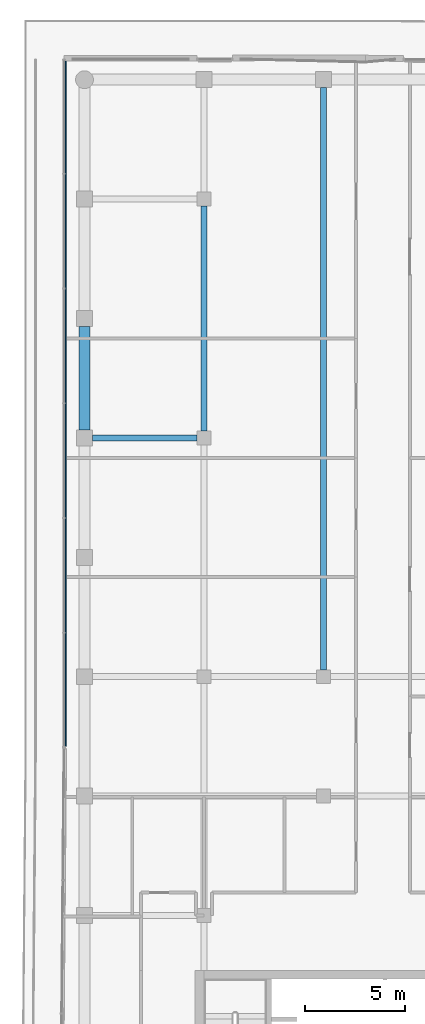
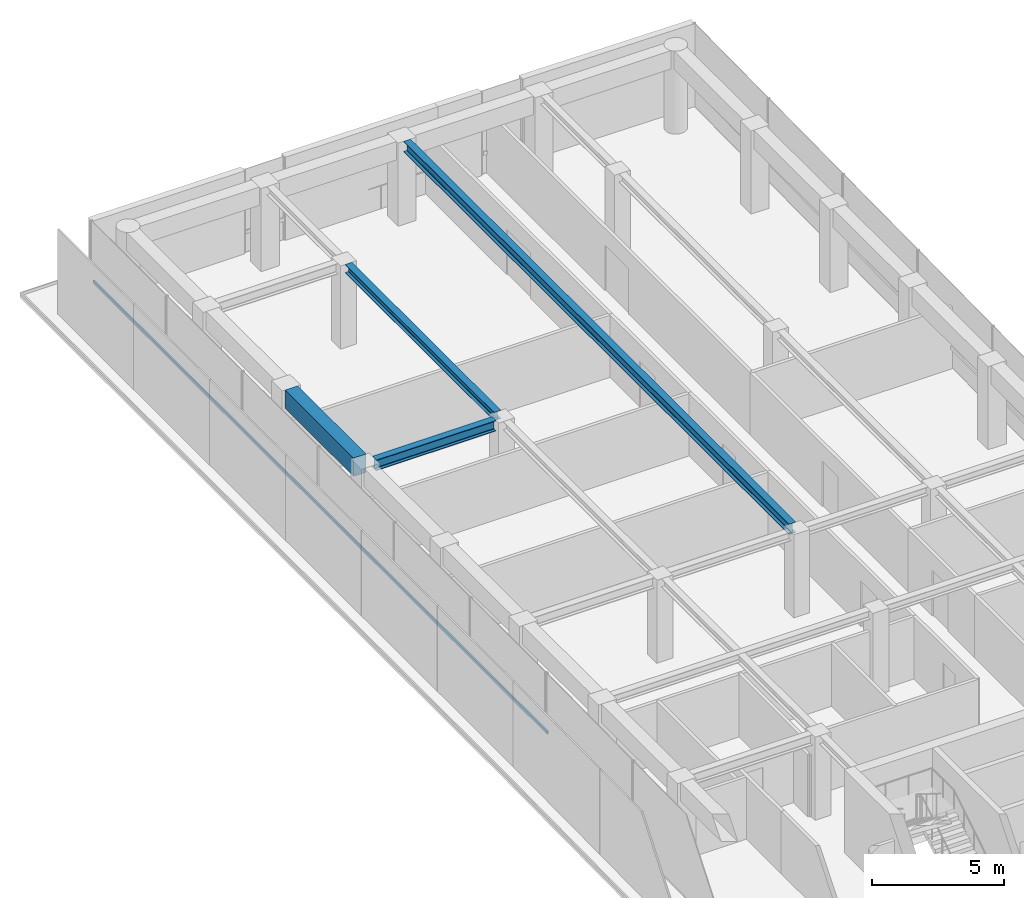
# One storey, part 10 of 19: 4 beams, 1 member, 1 element without a shape of its own.
"""IFC4 building model written with IfcOpenShell, lengths in metres."""

from ifc_helpers import new_model, si_unit, direction, frame, origin, origin_2d, place, context, subcontext, project, spatial, rectangle, i_section, extrude, material, layer, layer_set, material_profile, profile_set, type_object, element, aggregate, save


model = new_model("IFC4")

# Units and contexts
model_context = context("Model", 3, precision=1e-05, world=origin(), true_north=direction((0.0, 1.0)))
body_context = subcontext(model_context, "Body", "Model", "MODEL_VIEW")
ifc_project = project(units=[si_unit("LENGTHUNIT", "METRE"), si_unit("AREAUNIT", "SQUARE_METRE"), si_unit("VOLUMEUNIT", "CUBIC_METRE"), si_unit("PLANEANGLEUNIT", "RADIAN"), si_unit("MASSUNIT", "GRAM", prefix="KILO")], contexts=[model_context])

# Site, building, storey
site_placement = place(None, origin())
site = spatial("IfcSite", under=ifc_project, at=site_placement, CompositionType="ELEMENT")
building_placement = place(site_placement, origin())
building = spatial("IfcBuilding", under=site, at=building_placement, Name="Welwitschia Terrace Campus", CompositionType="ELEMENT")
storey_placement = place(building_placement, frame((0.0, 0.0, 230.60009765625)))
storey = spatial("IfcBuildingStorey", under=building, at=storey_placement, Name="L51", CompositionType="ELEMENT", Elevation=230.60009765625)

# Beams
ifc_material_1 = material(Name="Steel S355", Category="steel")
ifc_material_profile_1 = material_profile(ifc_material_1, i_section(OverallWidth=0.300048828125, OverallDepth=0.389892578125, WebThickness=0.010986328125, FlangeThickness=0.01904296875, FilletRadius=0.027099609375, at=origin_2d()))
ifc_profile_set_1 = profile_set([ifc_material_profile_1], Name="Steel S355")
beam_type_1 = type_object("IfcBeamType", Name="Interior girder HE 400 A", PredefinedType="BEAM", material=ifc_profile_set_1)
beam_1_placement = place(storey_placement, frame((6.0, 52.3505859375, 3.65478515625), z_axis=(0.0, 1.0, 0.0), x_axis=(-1.0, 0.0, 0.0)))
element("IfcBeam", 1, at=beam_1_placement, inside=storey, type_object=beam_type_1, Name="Girder GB5", PredefinedType="BEAM", context=body_context, shape_type="SweptSolid", body=[
    extrude(i_section(OverallWidth=0.300048828125, OverallDepth=0.389892578125, WebThickness=0.010986328125, FlangeThickness=0.01904296875, FilletRadius=0.027099609375, at=origin_2d()), origin(), (0.0, 0.0, 1.0), 11.298828125),
])
ifc_material_2 = material(Name="Steel S355", Category="steel")
ifc_material_profile_2 = material_profile(ifc_material_2, i_section(OverallWidth=0.300048828125, OverallDepth=0.489990234375, WebThickness=0.011962890625, FlangeThickness=0.02294921875, FilletRadius=0.027099609375, at=origin_2d()))
ifc_profile_set_2 = profile_set([ifc_material_profile_2], Name="Steel S355")
beam_type_2 = type_object("IfcBeamType", Name="Primary beam HE 500 A", PredefinedType="BEAM", material=ifc_profile_set_2)
beam_2_placement = place(storey_placement, frame((12.0, 69.599609375, 3.60498046875), z_axis=(0.0, -1.0, 0.0), x_axis=(1.0, 0.0, 0.0)))
element("IfcBeam", 2, at=beam_2_placement, inside=storey, type_object=beam_type_2, Name="Primary beam PB5", PredefinedType="BEAM", context=body_context, shape_type="SweptSolid", body=[
    extrude(i_section(OverallWidth=0.300048828125, OverallDepth=0.489990234375, WebThickness=0.011962890625, FlangeThickness=0.02294921875, FilletRadius=0.027099609375, at=origin_2d()), origin(), (0.0, 0.0, 1.0), 29.2490234375),
])
beam_3_placement = place(storey_placement, frame((0.400390625, 52.0, 3.60498046875), z_axis=(1.0, 0.0, 0.0), x_axis=(0.0, 1.0, 0.0)))
element("IfcBeam", 3, at=beam_3_placement, inside=storey, type_object=beam_type_2, Name="Primary beam PB5", PredefinedType="BEAM", context=body_context, shape_type="SweptSolid", body=[
    extrude(i_section(OverallWidth=0.300048828125, OverallDepth=0.489990234375, WebThickness=0.011962890625, FlangeThickness=0.02294921875, FilletRadius=0.027099609375, at=origin_2d()), origin(), (0.0, 0.0, 1.0), 5.2490234375),
])
ifc_material_3 = material(Name="Concrete C50/60", Category="concrete")
ifc_material_profile_3 = material_profile(ifc_material_3, rectangle(XDim=0.550048828125, YDim=0.85009765625, at=origin_2d()))
ifc_profile_set_3 = profile_set([ifc_material_profile_3], Name="Concrete C50/60")
beam_type_3 = type_object("IfcBeamType", Name="Ring spandrel 550x850", PredefinedType="SPANDREL", material=ifc_profile_set_3)
beam_4_placement = place(storey_placement, frame((0.0, 57.599609375, 3.4248046875), z_axis=(0.0, -1.0, 0.0), x_axis=(1.0, 0.0, 0.0)))
element("IfcBeam", 4, at=beam_4_placement, inside=storey, type_object=beam_type_3, Name="Spandrel SP3", PredefinedType="SPANDREL", context=body_context, shape_type="SweptSolid", body=[
    extrude(rectangle(XDim=0.550048828125, YDim=0.85009765625, at=origin_2d()), origin(), (0.0, 0.0, 1.0), 5.19921875),
])

# Curtain wall, member
ifc_material_4 = material(Name="Bronze anodised aluminium", Category="aluminium")
ifc_layer = layer(ifc_material_4, 0.1201171875)
ifc_layer_set = layer_set([ifc_layer], Name="Bronze anodised aluminium")
curtain_wall_type = type_object("IfcCurtainWallType", Name="Curtain wall CW2 tower 6000", PredefinedType="NOTDEFINED", material=ifc_layer_set)
curtain_wall_placement = place(storey_placement, origin())
curtain_wall = element("IfcCurtainWall", 5, at=curtain_wall_placement, inside=storey, type_object=curtain_wall_type, Name="CW L51.1.0", PredefinedType="NOTDEFINED")
ifc_material_5 = material(Name="Bronze anodised aluminium", Category="aluminium")
ifc_material_profile_4 = material_profile(ifc_material_5, rectangle(XDim=0.06005859375, YDim=0.14990234375, at=origin_2d()))
ifc_profile_set_4 = profile_set([ifc_material_profile_4], Name="Bronze anodised aluminium")
member_type = type_object("IfcMemberType", Name="Transom 60x150", PredefinedType="USERDEFINED", material=ifc_profile_set_4)
member_placement = place(storey_placement, frame((-0.93994140625, 70.969970703125, 1.0), z_axis=(0.0, -1.0, 0.0), x_axis=(1.0, 0.0, 0.0)))
member = element("IfcMember", 6, at=member_placement, type_object=member_type, Name="Transom L51.1.0", ObjectType="TRANSOM", PredefinedType="USERDEFINED", context=body_context, shape_type="SweptSolid", body=[
    extrude(rectangle(XDim=0.06005859375, YDim=0.14990234375, at=origin_2d()), origin(), (0.0, 0.0, 1.0), 34.456298828125),
])
aggregate(curtain_wall, [member])

save(model, "model.ifc")
